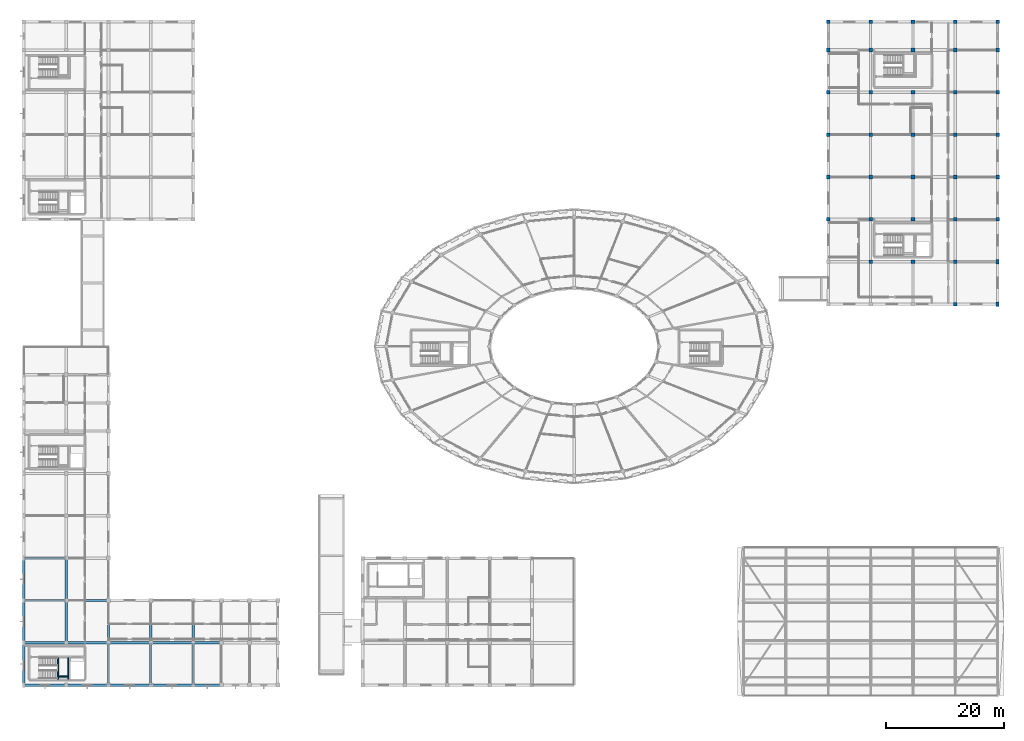
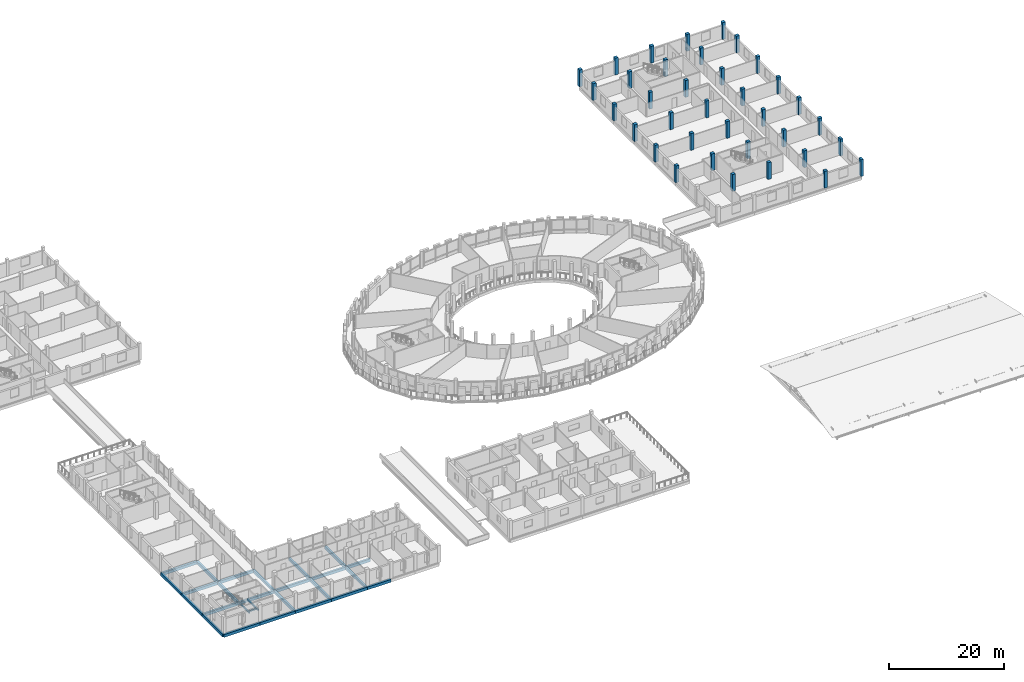
# One storey, part 2 of 93: 36 columns, 27 beams.
"""IFC4 building model written with IfcOpenShell, lengths in metres."""

from ifc_helpers import new_model, si_unit, direction, frame, origin, origin_2d, place, context, subcontext, project, spatial, rectangle, extrude, material, material_profile, profile_set, type_object, element, save


model = new_model("IFC4")

# Units and contexts
model_context = context("Model", 3, precision=1e-05, world=origin(), true_north=direction((0.0, 1.0)))
body_context = subcontext(model_context, "Body", "Model", "MODEL_VIEW")
ifc_project = project(units=[si_unit("LENGTHUNIT", "METRE"), si_unit("AREAUNIT", "SQUARE_METRE"), si_unit("VOLUMEUNIT", "CUBIC_METRE"), si_unit("PLANEANGLEUNIT", "RADIAN"), si_unit("MASSUNIT", "GRAM", prefix="KILO")], contexts=[model_context])

# Site, building, storey
site_placement = place(None, origin())
site = spatial("IfcSite", under=ifc_project, at=site_placement, CompositionType="ELEMENT")
building_placement = place(site_placement, origin())
building = spatial("IfcBuilding", under=site, at=building_placement, Name="Zornivar Specialist Clinic", CompositionType="ELEMENT")
storey_placement = place(building_placement, frame((0.0, 0.0, 8.39990234375)))
storey = spatial("IfcBuildingStorey", under=building, at=storey_placement, Name="L02", CompositionType="ELEMENT", Elevation=8.39990234375)

# Columns
ifc_material_1 = material(Name="Concrete C35/45", Category="concrete")
ifc_material_profile_1 = material_profile(ifc_material_1, rectangle(XDim=0.47998046875, YDim=0.780029296875, at=origin_2d()), Name="RC 480x780")
ifc_profile_set_1 = profile_set([ifc_material_profile_1], Name="Concrete C35/45")
column_type_1 = type_object("IfcColumnType", Name="COL-RC-480x780", PredefinedType="PILASTER", material=ifc_profile_set_1)
for number, where, z_axis, x_axis, name in (
    (1, (165.60009765625, 64.800048828125, 0.0), (0.0, 0.0, 1.0), (1.0, 0.0, 0.0), "col:V6:L02:1656_648"),
    (2, (165.60009765625, 72.0, 0.0), (0.0, 0.0, 1.0), (1.0, 0.0, 0.0), "col:V6:L02:1656_720"),
):
    element("IfcColumn", number, at=place(storey_placement, frame(where, z_axis=z_axis, x_axis=x_axis)), inside=storey, type_object=column_type_1, Name=name, PredefinedType="PILASTER", context=body_context, shape_type="SweptSolid", body=[
        extrude(rectangle(XDim=0.47998046875, YDim=0.780029296875, at=origin_2d()), origin(), (0.0, 0.0, 1.0), 3.580078125),
    ])
ifc_material_2 = material(Name="Concrete C35/45", Category="concrete")
ifc_material_profile_2 = material_profile(ifc_material_2, rectangle(XDim=0.6201171875, YDim=0.6201171875, at=origin_2d()), Name="RC 620x620")
ifc_profile_set_2 = profile_set([ifc_material_profile_2], Name="Concrete C35/45")
column_type_2 = type_object("IfcColumnType", Name="COL-RC-620", PredefinedType="COLUMN", material=ifc_profile_set_2)
for number, where, z_axis, x_axis, name in (
    (3, (136.800048828125, 79.199951171875, 0.0), (0.0, 0.0, 1.0), (1.0, 0.0, 0.0), "col:V6:L02:1368_792"),
    (4, (136.800048828125, 86.39990234375, 0.0), (0.0, 0.0, 1.0), (1.0, 0.0, 0.0), "col:V6:L02:1368_864"),
    (5, (136.800048828125, 93.60009765625, 0.0), (0.0, 0.0, 1.0), (1.0, 0.0, 0.0), "col:V6:L02:1368_936"),
    (6, (136.800048828125, 100.800048828125, 0.0), (0.0, 0.0, 1.0), (1.0, 0.0, 0.0), "col:V6:L02:1368_1008"),
    (7, (136.800048828125, 108.0, 0.0), (0.0, 0.0, 1.0), (1.0, 0.0, 0.0), "col:V6:L02:1368_1080"),
    (8, (136.800048828125, 112.800048828125, 0.0), (0.0, 0.0, 1.0), (1.0, 0.0, 0.0), "col:V6:L02:1368_1128"),
    (9, (144.0, 72.0, 0.0), (0.0, 0.0, 1.0), (1.0, 0.0, 0.0), "col:V6:L02:1440_720"),
    (10, (144.0, 79.199951171875, 0.0), (0.0, 0.0, 1.0), (1.0, 0.0, 0.0), "col:V6:L02:1440_792"),
    (11, (144.0, 86.39990234375, 0.0), (0.0, 0.0, 1.0), (1.0, 0.0, 0.0), "col:V6:L02:1440_864"),
    (12, (144.0, 93.60009765625, 0.0), (0.0, 0.0, 1.0), (1.0, 0.0, 0.0), "col:V6:L02:1440_936"),
    (13, (144.0, 100.800048828125, 0.0), (0.0, 0.0, 1.0), (1.0, 0.0, 0.0), "col:V6:L02:1440_1008"),
    (14, (144.0, 108.0, 0.0), (0.0, 0.0, 1.0), (1.0, 0.0, 0.0), "col:V6:L02:1440_1080"),
    (15, (144.0, 112.800048828125, 0.0), (0.0, 0.0, 1.0), (1.0, 0.0, 0.0), "col:V6:L02:1440_1128"),
    (16, (151.199951171875, 72.0, 0.0), (0.0, 0.0, 1.0), (1.0, 0.0, 0.0), "col:V6:L02:1512_720"),
    (17, (151.199951171875, 79.199951171875, 0.0), (0.0, 0.0, 1.0), (1.0, 0.0, 0.0), "col:V6:L02:1512_792"),
    (18, (151.199951171875, 86.39990234375, 0.0), (0.0, 0.0, 1.0), (1.0, 0.0, 0.0), "col:V6:L02:1512_864"),
    (19, (151.199951171875, 93.60009765625, 0.0), (0.0, 0.0, 1.0), (1.0, 0.0, 0.0), "col:V6:L02:1512_936"),
    (20, (151.199951171875, 100.800048828125, 0.0), (0.0, 0.0, 1.0), (1.0, 0.0, 0.0), "col:V6:L02:1512_1008"),
    (21, (151.199951171875, 108.0, 0.0), (0.0, 0.0, 1.0), (1.0, 0.0, 0.0), "col:V6:L02:1512_1080"),
    (22, (151.199951171875, 112.800048828125, 0.0), (0.0, 0.0, 1.0), (1.0, 0.0, 0.0), "col:V6:L02:1512_1128"),
    (23, (158.39990234375, 64.800048828125, 0.0), (0.0, 0.0, 1.0), (1.0, 0.0, 0.0), "col:V6:L02:1584_648"),
    (24, (158.39990234375, 72.0, 0.0), (0.0, 0.0, 1.0), (1.0, 0.0, 0.0), "col:V6:L02:1584_720"),
    (25, (158.39990234375, 79.199951171875, 0.0), (0.0, 0.0, 1.0), (1.0, 0.0, 0.0), "col:V6:L02:1584_792"),
    (26, (158.39990234375, 86.39990234375, 0.0), (0.0, 0.0, 1.0), (1.0, 0.0, 0.0), "col:V6:L02:1584_864"),
    (27, (158.39990234375, 93.60009765625, 0.0), (0.0, 0.0, 1.0), (1.0, 0.0, 0.0), "col:V6:L02:1584_936"),
    (28, (158.39990234375, 100.800048828125, 0.0), (0.0, 0.0, 1.0), (1.0, 0.0, 0.0), "col:V6:L02:1584_1008"),
    (29, (158.39990234375, 108.0, 0.0), (0.0, 0.0, 1.0), (1.0, 0.0, 0.0), "col:V6:L02:1584_1080"),
    (30, (158.39990234375, 112.800048828125, 0.0), (0.0, 0.0, 1.0), (1.0, 0.0, 0.0), "col:V6:L02:1584_1128"),
    (31, (165.60009765625, 79.199951171875, 0.0), (0.0, 0.0, 1.0), (1.0, 0.0, 0.0), "col:V6:L02:1656_792"),
    (32, (165.60009765625, 86.39990234375, 0.0), (0.0, 0.0, 1.0), (1.0, 0.0, 0.0), "col:V6:L02:1656_864"),
    (33, (165.60009765625, 93.60009765625, 0.0), (0.0, 0.0, 1.0), (1.0, 0.0, 0.0), "col:V6:L02:1656_936"),
    (34, (165.60009765625, 100.800048828125, 0.0), (0.0, 0.0, 1.0), (1.0, 0.0, 0.0), "col:V6:L02:1656_1008"),
    (35, (165.60009765625, 108.0, 0.0), (0.0, 0.0, 1.0), (1.0, 0.0, 0.0), "col:V6:L02:1656_1080"),
    (36, (165.60009765625, 112.800048828125, 0.0), (0.0, 0.0, 1.0), (1.0, 0.0, 0.0), "col:V6:L02:1656_1128"),
):
    element("IfcColumn", number, at=place(storey_placement, frame(where, z_axis=z_axis, x_axis=x_axis)), inside=storey, type_object=column_type_2, Name=name, PredefinedType="COLUMN", context=body_context, shape_type="SweptSolid", body=[
        extrude(rectangle(XDim=0.6201171875, YDim=0.6201171875, at=origin_2d()), origin(), (0.0, 0.0, 1.0), 3.580078125),
    ])

# Beams
ifc_material_3 = material(Name="Concrete C30/37", Category="concrete")
ifc_material_profile_3 = material_profile(ifc_material_3, rectangle(XDim=0.25, YDim=0.300048828125, at=origin_2d()), Name="RC 250x300")
ifc_profile_set_3 = profile_set([ifc_material_profile_3], Name="Concrete C30/37")
beam_type_1 = type_object("IfcBeamType", Name="BM-LAND-250x300", PredefinedType="BEAM", material=ifc_profile_set_3)
for number, where, z_axis, x_axis, name in (
    (37, (5.800048828125, 1.030029296875, 1.6201171875), (0.0, 1.0, 0.0), (-1.0, 0.0, 0.0), "bm:stair:C1:L02:lW"),
    (38, (7.56005859375, 1.030029296875, 1.6201171875), (0.0, 1.0, 0.0), (-1.0, 0.0, 0.0), "bm:stair:C1:L02:lE"),
):
    element("IfcBeam", number, at=place(storey_placement, frame(where, z_axis=z_axis, x_axis=x_axis)), inside=storey, type_object=beam_type_1, Name=name, PredefinedType="BEAM", context=body_context, shape_type="SweptSolid", body=[
        extrude(rectangle(XDim=0.25, YDim=0.300048828125, at=origin_2d()), origin(), (0.0, 0.0, 1.0), 3.669921875),
    ])
beam_1_placement = place(storey_placement, frame((5.93505859375, 1.47998046875, 1.6201171875), z_axis=(1.0, 0.0, 0.0), x_axis=(0.0, 1.0, 0.0)))
element("IfcBeam", 39, at=beam_1_placement, inside=storey, type_object=beam_type_1, Name="bm:stair:C1:L02:lS", PredefinedType="BEAM", context=body_context, shape_type="SweptSolid", body=[
    extrude(rectangle(XDim=0.25, YDim=0.300048828125, at=origin_2d()), origin(), (0.0, 0.0, 1.0), 1.489990234375),
])
ifc_material_4 = material(Name="Concrete C30/37", Category="concrete")
ifc_material_profile_4 = material_profile(ifc_material_4, rectangle(XDim=0.3798828125, YDim=0.60009765625, at=origin_2d()), Name="RC 380x600")
ifc_profile_set_4 = profile_set([ifc_material_profile_4], Name="Concrete C30/37")
beam_type_2 = type_object("IfcBeamType", Name="BM-RC-380x600", PredefinedType="BEAM", material=ifc_profile_set_4)
for number, where, z_axis, x_axis, name in (
    (40, (0.0, 7.199951171875, -0.579833984375), (1.0, 0.0, 0.0), (0.0, 1.0, 0.0), "bm:V2:L02:x:72:0"),
    (41, (7.199951171875, 7.199951171875, -0.579833984375), (1.0, 0.0, 0.0), (0.0, 1.0, 0.0), "bm:V2:L02:x:72:1"),
):
    element("IfcBeam", number, at=place(storey_placement, frame(where, z_axis=z_axis, x_axis=x_axis)), inside=storey, type_object=beam_type_2, Name=name, PredefinedType="BEAM", context=body_context, shape_type="SweptSolid", body=[
        extrude(rectangle(XDim=0.3798828125, YDim=0.60009765625, at=origin_2d()), origin(), (0.0, 0.0, 1.0), 7.199951171875),
    ])
beam_2_placement = place(storey_placement, frame((14.39990234375, 7.199951171875, -0.579833984375), z_axis=(1.0, 0.0, 0.0), x_axis=(0.0, 1.0, 0.0)))
element("IfcBeam", 42, at=beam_2_placement, inside=storey, type_object=beam_type_2, Name="bm:V2:L02:x:72:2", PredefinedType="BEAM", context=body_context, shape_type="SweptSolid", body=[
    extrude(rectangle(XDim=0.3798828125, YDim=0.60009765625, at=origin_2d()), origin(), (0.0, 0.0, 1.0), 7.2001953125),
])
beam_3_placement = place(storey_placement, frame((21.60009765625, 7.199951171875, -0.579833984375), z_axis=(1.0, 0.0, 0.0), x_axis=(0.0, 1.0, 0.0)))
element("IfcBeam", 43, at=beam_3_placement, inside=storey, type_object=beam_type_2, Name="bm:V2:L02:x:72:3", PredefinedType="BEAM", context=body_context, shape_type="SweptSolid", body=[
    extrude(rectangle(XDim=0.3798828125, YDim=0.60009765625, at=origin_2d()), origin(), (0.0, 0.0, 1.0), 7.199951171875),
])
beam_4_placement = place(storey_placement, frame((28.800048828125, 7.199951171875, -0.579833984375), z_axis=(1.0, 0.0, 0.0), x_axis=(0.0, 1.0, 0.0)))
element("IfcBeam", 44, at=beam_4_placement, inside=storey, type_object=beam_type_2, Name="bm:V2:L02:x:72:4", PredefinedType="BEAM", context=body_context, shape_type="SweptSolid", body=[
    extrude(rectangle(XDim=0.3798828125, YDim=0.60009765625, at=origin_2d()), origin(), (0.0, 0.0, 1.0), 4.800048828125),
])
for number, where, z_axis, x_axis, name in (
    (45, (0.0, 14.39990234375, -0.579833984375), (1.0, 0.0, 0.0), (0.0, 1.0, 0.0), "bm:V2:L02:x:144:0"),
    (46, (7.199951171875, 14.39990234375, -0.579833984375), (1.0, 0.0, 0.0), (0.0, 1.0, 0.0), "bm:V2:L02:x:144:1"),
    (47, (0.0, 21.60009765625, -0.579833984375), (1.0, 0.0, 0.0), (0.0, 1.0, 0.0), "bm:V2:L02:x:216:0"),
    (48, (7.199951171875, 7.199951171875, -0.579833984375), (0.0, 1.0, 0.0), (-1.0, 0.0, 0.0), "bm:V2:L02:y:72:1"),
):
    element("IfcBeam", number, at=place(storey_placement, frame(where, z_axis=z_axis, x_axis=x_axis)), inside=storey, type_object=beam_type_2, Name=name, PredefinedType="BEAM", context=body_context, shape_type="SweptSolid", body=[
        extrude(rectangle(XDim=0.3798828125, YDim=0.60009765625, at=origin_2d()), origin(), (0.0, 0.0, 1.0), 7.199951171875),
    ])
beam_5_placement = place(storey_placement, frame((7.199951171875, 14.39990234375, -0.579833984375), z_axis=(0.0, 1.0, 0.0), x_axis=(-1.0, 0.0, 0.0)))
element("IfcBeam", 49, at=beam_5_placement, inside=storey, type_object=beam_type_2, Name="bm:V2:L02:y:72:2", PredefinedType="BEAM", context=body_context, shape_type="SweptSolid", body=[
    extrude(rectangle(XDim=0.3798828125, YDim=0.60009765625, at=origin_2d()), origin(), (0.0, 0.0, 1.0), 7.2001953125),
])
for number, where, z_axis, x_axis, name in (
    (50, (14.39990234375, 0.0, -0.579833984375), (0.0, 1.0, 0.0), (-1.0, 0.0, 0.0), "bm:V2:L02:y:144:0"),
    (51, (14.39990234375, 7.199951171875, -0.579833984375), (0.0, 1.0, 0.0), (-1.0, 0.0, 0.0), "bm:V2:L02:y:144:1"),
    (52, (21.60009765625, 0.0, -0.579833984375), (0.0, 1.0, 0.0), (-1.0, 0.0, 0.0), "bm:V2:L02:y:216:0"),
    (53, (21.60009765625, 7.199951171875, -0.579833984375), (0.0, 1.0, 0.0), (-1.0, 0.0, 0.0), "bm:V2:L02:y:216:1"),
    (54, (28.800048828125, 0.0, -0.579833984375), (0.0, 1.0, 0.0), (-1.0, 0.0, 0.0), "bm:V2:L02:y:288:0"),
    (55, (28.800048828125, 7.199951171875, -0.579833984375), (0.0, 1.0, 0.0), (-1.0, 0.0, 0.0), "bm:V2:L02:y:288:1"),
):
    element("IfcBeam", number, at=place(storey_placement, frame(where, z_axis=z_axis, x_axis=x_axis)), inside=storey, type_object=beam_type_2, Name=name, PredefinedType="BEAM", context=body_context, shape_type="SweptSolid", body=[
        extrude(rectangle(XDim=0.3798828125, YDim=0.60009765625, at=origin_2d()), origin(), (0.0, 0.0, 1.0), 7.199951171875),
    ])
ifc_material_5 = material(Name="Concrete C30/37", Category="concrete")
ifc_material_profile_5 = material_profile(ifc_material_5, rectangle(XDim=0.389892578125, YDim=0.60009765625, at=origin_2d()), Name="RC 390x600")
ifc_profile_set_5 = profile_set([ifc_material_profile_5], Name="Concrete C30/37")
beam_type_3 = type_object("IfcBeamType", Name="BM-RC-SPANDREL-390x600", PredefinedType="SPANDREL", material=ifc_profile_set_5)
for number, where, z_axis, x_axis, name in (
    (56, (0.0, 0.0, -0.579833984375), (1.0, 0.0, 0.0), (0.0, 1.0, 0.0), "bm:V2:L02:x:0:0"),
    (57, (7.199951171875, 0.0, -0.579833984375), (1.0, 0.0, 0.0), (0.0, 1.0, 0.0), "bm:V2:L02:x:0:1"),
):
    element("IfcBeam", number, at=place(storey_placement, frame(where, z_axis=z_axis, x_axis=x_axis)), inside=storey, type_object=beam_type_3, Name=name, PredefinedType="SPANDREL", context=body_context, shape_type="SweptSolid", body=[
        extrude(rectangle(XDim=0.389892578125, YDim=0.60009765625, at=origin_2d()), origin(), (0.0, 0.0, 1.0), 7.199951171875),
    ])
beam_6_placement = place(storey_placement, frame((14.39990234375, 0.0, -0.579833984375), z_axis=(1.0, 0.0, 0.0), x_axis=(0.0, 1.0, 0.0)))
element("IfcBeam", 58, at=beam_6_placement, inside=storey, type_object=beam_type_3, Name="bm:V2:L02:x:0:2", PredefinedType="SPANDREL", context=body_context, shape_type="SweptSolid", body=[
    extrude(rectangle(XDim=0.389892578125, YDim=0.60009765625, at=origin_2d()), origin(), (0.0, 0.0, 1.0), 7.2001953125),
])
beam_7_placement = place(storey_placement, frame((21.60009765625, 0.0, -0.579833984375), z_axis=(1.0, 0.0, 0.0), x_axis=(0.0, 1.0, 0.0)))
element("IfcBeam", 59, at=beam_7_placement, inside=storey, type_object=beam_type_3, Name="bm:V2:L02:x:0:3", PredefinedType="SPANDREL", context=body_context, shape_type="SweptSolid", body=[
    extrude(rectangle(XDim=0.389892578125, YDim=0.60009765625, at=origin_2d()), origin(), (0.0, 0.0, 1.0), 7.199951171875),
])
beam_8_placement = place(storey_placement, frame((28.800048828125, 0.0, -0.579833984375), z_axis=(1.0, 0.0, 0.0), x_axis=(0.0, 1.0, 0.0)))
element("IfcBeam", 60, at=beam_8_placement, inside=storey, type_object=beam_type_3, Name="bm:V2:L02:x:0:4", PredefinedType="SPANDREL", context=body_context, shape_type="SweptSolid", body=[
    extrude(rectangle(XDim=0.389892578125, YDim=0.60009765625, at=origin_2d()), origin(), (0.0, 0.0, 1.0), 4.800048828125),
])
for number, where, z_axis, x_axis, name in (
    (61, (0.0, 0.0, -0.579833984375), (0.0, 1.0, 0.0), (-1.0, 0.0, 0.0), "bm:V2:L02:y:0:0"),
    (62, (0.0, 7.199951171875, -0.579833984375), (0.0, 1.0, 0.0), (-1.0, 0.0, 0.0), "bm:V2:L02:y:0:1"),
):
    element("IfcBeam", number, at=place(storey_placement, frame(where, z_axis=z_axis, x_axis=x_axis)), inside=storey, type_object=beam_type_3, Name=name, PredefinedType="SPANDREL", context=body_context, shape_type="SweptSolid", body=[
        extrude(rectangle(XDim=0.389892578125, YDim=0.60009765625, at=origin_2d()), origin(), (0.0, 0.0, 1.0), 7.199951171875),
    ])
beam_9_placement = place(storey_placement, frame((0.0, 14.39990234375, -0.579833984375), z_axis=(0.0, 1.0, 0.0), x_axis=(-1.0, 0.0, 0.0)))
element("IfcBeam", 63, at=beam_9_placement, inside=storey, type_object=beam_type_3, Name="bm:V2:L02:y:0:2", PredefinedType="SPANDREL", context=body_context, shape_type="SweptSolid", body=[
    extrude(rectangle(XDim=0.389892578125, YDim=0.60009765625, at=origin_2d()), origin(), (0.0, 0.0, 1.0), 7.2001953125),
])

save(model, "model.ifc")
